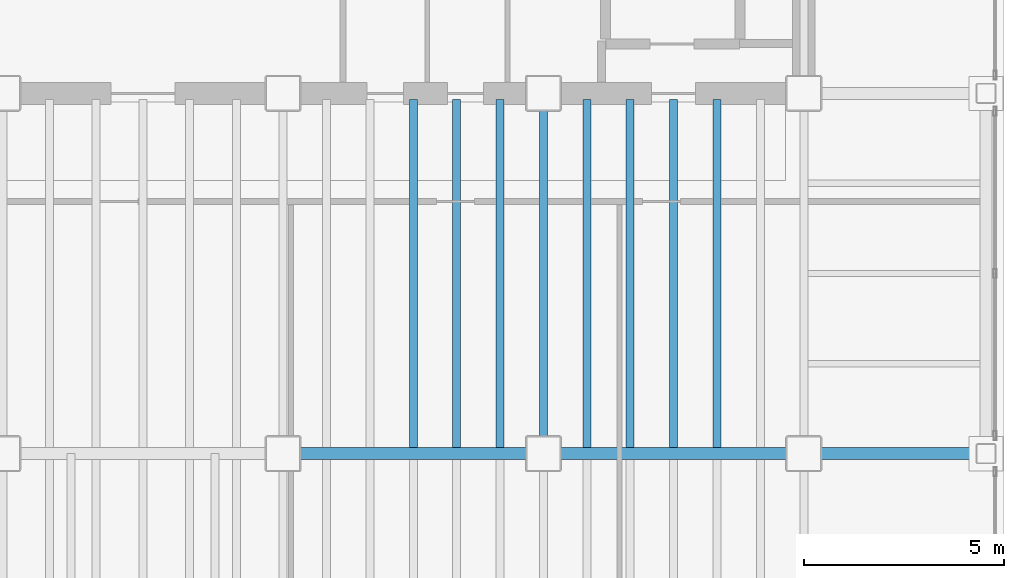
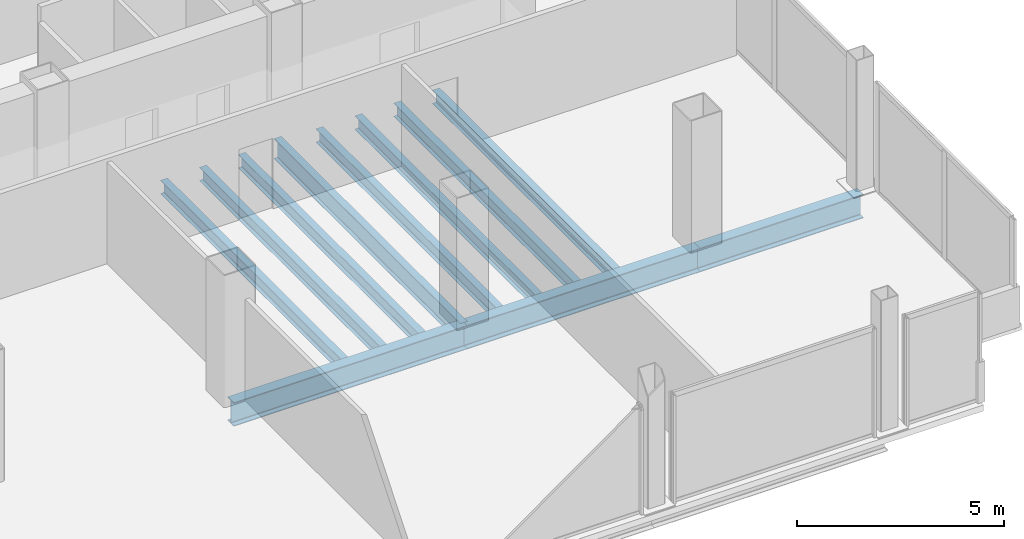
# One storey, part 14 of 20: 11 beams.
"""IFC4 building model written with IfcOpenShell, lengths in metres."""

from ifc_helpers import new_model, si_unit, direction, frame, origin, origin_2d, place, context, subcontext, project, spatial, i_section, extrude, material, material_profile, profile_set, type_object, element, save


model = new_model("IFC4")

# Units and contexts
model_context = context("Model", 3, precision=1e-05, world=origin(), true_north=direction((0.0, 1.0)))
body_context = subcontext(model_context, "Body", "Model", "MODEL_VIEW")
ifc_project = project(units=[si_unit("LENGTHUNIT", "METRE"), si_unit("AREAUNIT", "SQUARE_METRE"), si_unit("VOLUMEUNIT", "CUBIC_METRE"), si_unit("PLANEANGLEUNIT", "RADIAN"), si_unit("MASSUNIT", "GRAM", prefix="KILO")], contexts=[model_context])

# Site, building, storey
site_placement = place(None, origin())
site = spatial("IfcSite", under=ifc_project, at=site_placement, CompositionType="ELEMENT")
building_placement = place(site_placement, origin())
building = spatial("IfcBuilding", under=site, at=building_placement, Name="Noeulbin Bourse Tower", CompositionType="ELEMENT")
storey_placement = place(building_placement, frame((0.0, 0.0, 126.60009765625)))
storey = spatial("IfcBuildingStorey", under=building, at=storey_placement, Name="L31", CompositionType="ELEMENT", Elevation=126.60009765625)

# Beams
ifc_material = material(Name="Steel S355", Category="steel")
ifc_material_profile_1 = material_profile(ifc_material, i_section(OverallWidth=0.199951171875, OverallDepth=0.60009765625, WebThickness=0.010986328125, FlangeThickness=0.01708984375, FilletRadius=0.02197265625, at=origin_2d()), Name="H-600x200x11x17", Category="LoadBearing")
ifc_profile_set_1 = profile_set([ifc_material_profile_1], Name="Steel S355")
beam_type_1 = type_object("IfcBeamType", Name="BM-GRD-600", PredefinedType="USERDEFINED", material=ifc_profile_set_1)
beam_1_placement = place(storey_placement, frame((37.5, 20.0, -0.47998046875), z_axis=(0.0, 1.0, 0.0), x_axis=(-1.0, 0.0, 0.0)))
element("IfcBeam", 1, at=beam_1_placement, inside=storey, type_object=beam_type_1, Name="Tower Primary Girder NS L31-4.2", ObjectType="GIRDER", PredefinedType="USERDEFINED", context=body_context, shape_type="SweptSolid", body=[
    extrude(i_section(OverallWidth=0.199951171875, OverallDepth=0.60009765625, WebThickness=0.010986328125, FlangeThickness=0.01708984375, FilletRadius=0.02197265625, at=origin_2d()), origin(), (0.0, 0.0, 1.0), 9.0),
])
ifc_material_profile_2 = material_profile(ifc_material, i_section(OverallWidth=0.300048828125, OverallDepth=0.699951171875, WebThickness=0.012939453125, FlangeThickness=0.02392578125, FilletRadius=0.02392578125, at=origin_2d()), Name="H-700x300x13x24", Category="LoadBearing")
ifc_profile_set_2 = profile_set([ifc_material_profile_2], Name="Steel S355")
beam_type_2 = type_object("IfcBeamType", Name="BM-GRD-700", PredefinedType="USERDEFINED", material=ifc_profile_set_2)
for number, where, z_axis, x_axis, name in (
    (2, (31.0, 20.0, -0.530029296875), (1.0, 0.0, 0.0), (0.0, 1.0, 0.0), "Tower Primary Girder EW L31-1.4"),
    (3, (37.5, 20.0, -0.530029296875), (1.0, 0.0, 0.0), (0.0, 1.0, 0.0), "Tower Primary Girder EW L31-1.5"),
):
    element("IfcBeam", number, at=place(storey_placement, frame(where, z_axis=z_axis, x_axis=x_axis)), inside=storey, type_object=beam_type_2, Name=name, ObjectType="GIRDER", PredefinedType="USERDEFINED", context=body_context, shape_type="SweptSolid", body=[
        extrude(i_section(OverallWidth=0.300048828125, OverallDepth=0.699951171875, WebThickness=0.012939453125, FlangeThickness=0.02392578125, FilletRadius=0.02392578125, at=origin_2d()), origin(), (0.0, 0.0, 1.0), 6.5),
    ])
beam_2_placement = place(storey_placement, frame((44.0, 20.0, -0.530029296875), z_axis=(1.0, 0.0, 0.0), x_axis=(0.0, 1.0, 0.0)))
element("IfcBeam", 4, at=beam_2_placement, inside=storey, type_object=beam_type_2, Name="Tower Primary Girder EW L31-1.6", ObjectType="GIRDER", PredefinedType="USERDEFINED", context=body_context, shape_type="SweptSolid", body=[
    extrude(i_section(OverallWidth=0.300048828125, OverallDepth=0.699951171875, WebThickness=0.012939453125, FlangeThickness=0.02392578125, FilletRadius=0.02392578125, at=origin_2d()), origin(), (0.0, 0.0, 1.0), 4.550048828125),
])
ifc_material_profile_3 = material_profile(ifc_material, i_section(OverallWidth=0.199951171875, OverallDepth=0.39990234375, WebThickness=0.008056640625, FlangeThickness=0.012939453125, FilletRadius=0.01611328125, at=origin_2d()), Name="H-400x200x8x13", Category="LoadBearing")
ifc_profile_set_3 = profile_set([ifc_material_profile_3], Name="Steel S355")
beam_type_3 = type_object("IfcBeamType", Name="BM-SEC-400", PredefinedType="BEAM", material=ifc_profile_set_3)
for number, where, z_axis, x_axis, name in (
    (5, (34.25, 20.14990234375, -0.380126953125), (0.0, 1.0, 0.0), (-1.0, 0.0, 0.0), "Tower Composite Joist L31-32"),
    (6, (35.333251953125, 20.14990234375, -0.380126953125), (0.0, 1.0, 0.0), (-1.0, 0.0, 0.0), "Tower Composite Joist L31-34"),
    (7, (36.416748046875, 20.14990234375, -0.380126953125), (0.0, 1.0, 0.0), (-1.0, 0.0, 0.0), "Tower Composite Joist L31-36"),
    (8, (38.583251953125, 20.14990234375, -0.380126953125), (0.0, 1.0, 0.0), (-1.0, 0.0, 0.0), "Tower Composite Joist L31-38"),
    (9, (39.666748046875, 20.14990234375, -0.380126953125), (0.0, 1.0, 0.0), (-1.0, 0.0, 0.0), "Tower Composite Joist L31-40"),
    (10, (40.75, 20.14990234375, -0.380126953125), (0.0, 1.0, 0.0), (-1.0, 0.0, 0.0), "Tower Composite Joist L31-42"),
    (11, (41.833251953125, 20.14990234375, -0.380126953125), (0.0, 1.0, 0.0), (-1.0, 0.0, 0.0), "Tower Composite Joist L31-44"),
):
    element("IfcBeam", number, at=place(storey_placement, frame(where, z_axis=z_axis, x_axis=x_axis)), inside=storey, type_object=beam_type_3, Name=name, PredefinedType="BEAM", context=body_context, shape_type="SweptSolid", body=[
        extrude(i_section(OverallWidth=0.199951171875, OverallDepth=0.39990234375, WebThickness=0.008056640625, FlangeThickness=0.012939453125, FilletRadius=0.01611328125, at=origin_2d()), origin(), (0.0, 0.0, 1.0), 8.7001953125),
    ])

save(model, "model.ifc")
